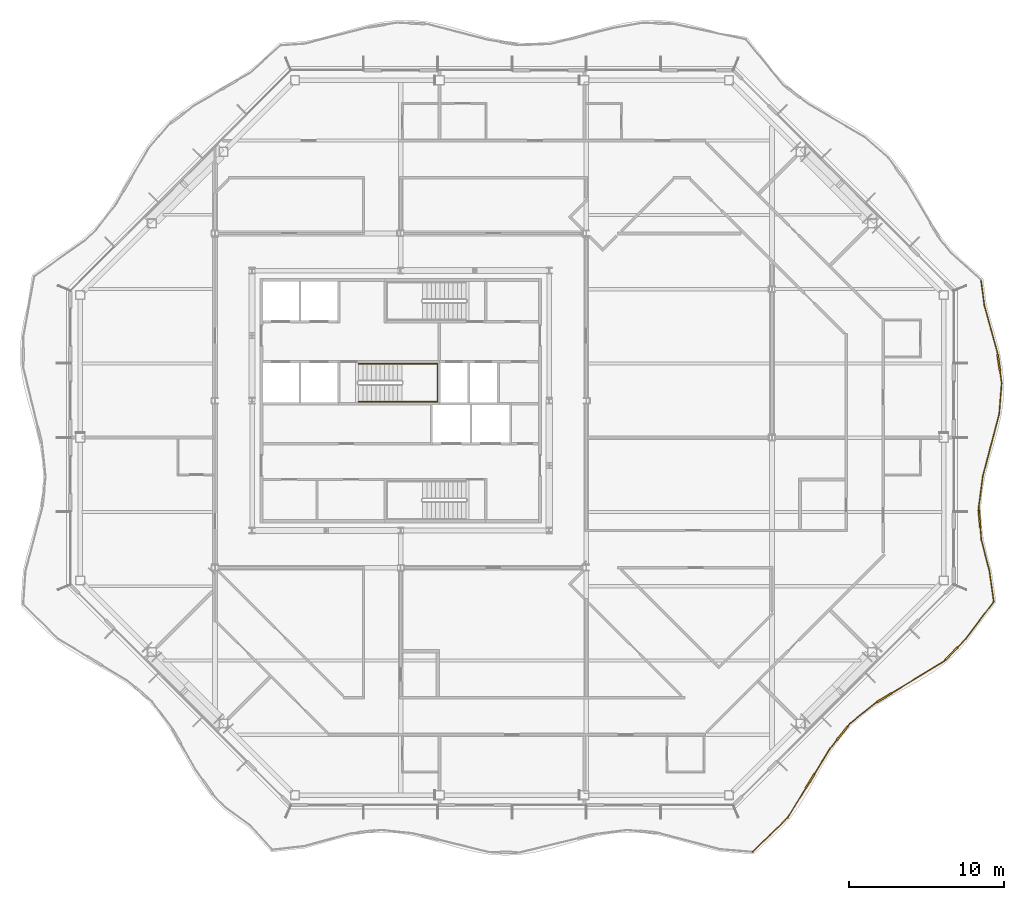
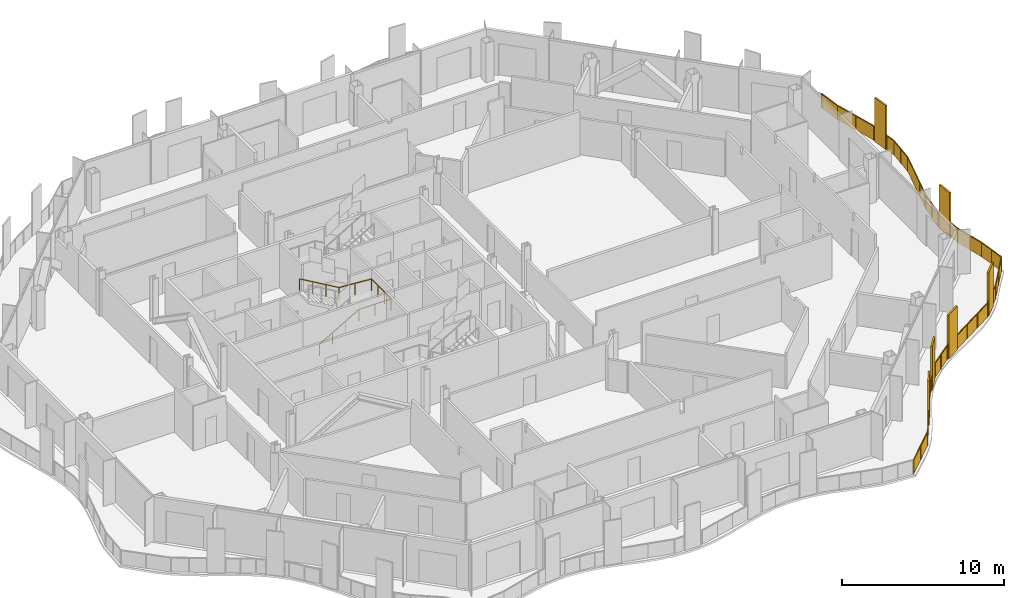
# One storey, part 17 of 19: 3 railings.
"""IFC4 building model written with IfcOpenShell, lengths in metres."""

from ifc_helpers import new_model, si_unit, direction, frame, origin, origin_2d, place, context, subcontext, project, spatial, polyline, rectangle, outline, extrude, material, type_object, element, save


model = new_model("IFC4")

# Units and contexts
model_context = context("Model", 3, precision=1e-05, world=origin(), true_north=direction((0.0, 1.0)))
body_context = subcontext(model_context, "Body", "Model", "MODEL_VIEW")
ifc_project = project(units=[si_unit("LENGTHUNIT", "METRE"), si_unit("AREAUNIT", "SQUARE_METRE"), si_unit("VOLUMEUNIT", "CUBIC_METRE"), si_unit("PLANEANGLEUNIT", "RADIAN"), si_unit("MASSUNIT", "GRAM", prefix="KILO")], contexts=[model_context])

# Site, building, storey
site_placement = place(None, origin())
site = spatial("IfcSite", under=ifc_project, at=site_placement, CompositionType="ELEMENT")
building_placement = place(site_placement, origin())
building = spatial("IfcBuilding", under=site, at=building_placement, Name="Cairn Pilgrim Tower", CompositionType="ELEMENT")
storey_placement = place(building_placement, frame((0.0, 0.0, 201.0)))
storey = spatial("IfcBuildingStorey", under=building, at=storey_placement, Name="L51", CompositionType="ELEMENT", Elevation=201.0)

# Railings
ifc_material_1 = material(Name="Bronze anodised aluminium rail, posts and fin screens with laminated glass infill", Category="aluminium")
railing_type_1 = type_object("IfcRailingType", Name="BALCONY GUARD WITH FIN SCREENS", PredefinedType="GUARDRAIL", material=ifc_material_1)
railing_1_placement = place(storey_placement, frame((29.952880859375, -26.76318359375, 0.0)))
element("IfcRailing", 1, at=railing_1_placement, inside=storey, type_object=railing_type_1, Name="Balcony guard BGF-2 with fin screens", PredefinedType="GUARDRAIL", context=body_context, shape_type="SweptSolid", body=[
    extrude(rectangle(XDim=0.050048828125, YDim=0.050048828125, at=origin_2d()), frame((0.0, 0.0, 1.0751953125), z_axis=(0.716130519256, 0.697966388439, 0.0), x_axis=(-0.697966388439, 0.716130519256, 0.0)), (0.0, 0.0, 1.0), 3.15869140625),
    extrude(rectangle(XDim=1.10009765625, YDim=0.110107421875, at=origin_2d()), frame((3.70947265625, 4.569091796875, 0.0), z_axis=(0.0, 0.0, 1.0), x_axis=(0.52208660069, 0.852892479378, 0.0)), (0.0, 0.0, 1.0), 3.300048828125),
    extrude(rectangle(XDim=0.050048828125, YDim=0.050048828125, at=origin_2d()), frame((2.261962890625, 2.20458984375, 1.0751953125), z_axis=(0.52208660069, 0.852892479378, 0.0), x_axis=(-0.852892479378, 0.52208660069, 0.0)), (0.0, 0.0, 1.0), 2.222412109375),
    extrude(rectangle(XDim=0.050048828125, YDim=0.050048828125, at=origin_2d()), frame((3.99658203125, 5.038330078125, 1.0751953125), z_axis=(0.52208660069, 0.852892479378, 0.0), x_axis=(-0.852892479378, 0.52208660069, 0.0)), (0.0, 0.0, 1.0), 1.904296875),
    extrude(rectangle(XDim=1.10009765625, YDim=0.110107421875, at=origin_2d()), frame((5.779052734375, 7.65625, 0.0), z_axis=(0.0, 0.0, 1.0), x_axis=(0.621419604969, 0.783477934955, 0.0)), (0.0, 0.0, 1.0), 3.300048828125),
    extrude(rectangle(XDim=0.050048828125, YDim=0.050048828125, at=origin_2d()), frame((4.99072265625, 6.662353515625, 1.0751953125), z_axis=(0.621419604969, 0.783477934955, 0.0), x_axis=(-0.783477934955, 0.621419604969, 0.0)), (0.0, 0.0, 1.0), 0.71875),
    extrude(rectangle(XDim=0.050048828125, YDim=0.050048828125, at=origin_2d()), frame((6.120849609375, 8.087158203125, 1.0751953125), z_axis=(0.621419604969, 0.783477934955, 0.0), x_axis=(-0.783477934955, 0.621419604969, 0.0)), (0.0, 0.0, 1.0), 0.25732421875),
    extrude(rectangle(XDim=0.050048828125, YDim=0.050048828125, at=origin_2d()), frame((6.28076171875, 8.288818359375, 1.0751953125), z_axis=(0.778867272827, 0.627188784434, 0.0), x_axis=(-0.627188784434, 0.778867272827, 0.0)), (0.0, 0.0, 1.0), 2.07470703125),
    extrude(rectangle(XDim=1.10009765625, YDim=0.110107421875, at=origin_2d()), frame((8.494140625, 9.95458984375, 0.0), z_axis=(0.0, 0.0, 1.0), x_axis=(0.853679739553, 0.520798331677, 0.0)), (0.0, 0.0, 1.0), 3.300048828125),
    extrude(rectangle(XDim=0.050048828125, YDim=0.050048828125, at=origin_2d()), frame((7.896728515625, 9.590087890625, 1.0751953125), z_axis=(0.853679739553, 0.520798331677, 0.0), x_axis=(-0.520798331677, 0.853679739553, 0.0)), (0.0, 0.0, 1.0), 0.14990234375),
    extrude(rectangle(XDim=0.050048828125, YDim=0.050048828125, at=origin_2d()), frame((8.9638671875, 10.240966796875, 1.0751953125), z_axis=(0.853679739553, 0.520798331677, 0.0), x_axis=(-0.520798331677, 0.853679739553, 0.0)), (0.0, 0.0, 1.0), 3.979248046875),
    extrude(rectangle(XDim=1.10009765625, YDim=0.110107421875, at=origin_2d()), frame((12.849609375, 12.814453125, 0.0), z_axis=(0.0, 0.0, 1.0), x_axis=(0.698299545032, 0.71580566176, 0.0)), (0.0, 0.0, 1.0), 3.300048828125),
    extrude(rectangle(XDim=0.050048828125, YDim=0.050048828125, at=origin_2d()), frame((12.36083984375, 12.3134765625, 1.0751953125), z_axis=(0.698299545032, 0.71580566176, 0.0), x_axis=(-0.71580566176, 0.698299545032, 0.0)), (0.0, 0.0, 1.0), 0.14990234375),
    extrude(rectangle(XDim=0.050048828125, YDim=0.050048828125, at=origin_2d()), frame((13.233642578125, 13.208251953125, 1.0751953125), z_axis=(0.698299545032, 0.71580566176, 0.0), x_axis=(-0.71580566176, 0.698299545032, 0.0)), (0.0, 0.0, 1.0), 0.75830078125),
    extrude(rectangle(XDim=0.050048828125, YDim=0.050048828125, at=origin_2d()), frame((13.76318359375, 13.7509765625, 1.0751953125), z_axis=(0.600605369971, 0.799545614435, 0.0), x_axis=(-0.799545614435, 0.600605369971, 0.0)), (0.0, 0.0, 1.0), 2.96728515625),
    extrude(rectangle(XDim=0.050048828125, YDim=0.050048828125, at=origin_2d()), origin(), (0.0, 0.0, 1.0), 1.050048828125),
    extrude(rectangle(XDim=0.050048828125, YDim=0.050048828125, at=origin_2d()), frame((1.130859375, 1.102294921875, 0.0)), (0.0, 0.0, 1.0), 1.050048828125),
    extrude(rectangle(XDim=0.050048828125, YDim=0.050048828125, at=origin_2d()), frame((2.261962890625, 2.20458984375, 0.0)), (0.0, 0.0, 1.0), 1.050048828125),
    extrude(rectangle(XDim=0.050048828125, YDim=0.050048828125, at=origin_2d()), frame((2.835693359375, 3.1416015625, 0.0)), (0.0, 0.0, 1.0), 1.050048828125),
    extrude(rectangle(XDim=0.050048828125, YDim=0.050048828125, at=origin_2d()), frame((3.4091796875, 4.07861328125, 0.0)), (0.0, 0.0, 1.0), 1.050048828125),
    extrude(rectangle(XDim=0.050048828125, YDim=0.050048828125, at=origin_2d()), frame((4.009521484375, 5.0595703125, 0.0)), (0.0, 0.0, 1.0), 1.050048828125),
    extrude(rectangle(XDim=0.050048828125, YDim=0.050048828125, at=origin_2d()), frame((4.500244140625, 5.861083984375, 0.0)), (0.0, 0.0, 1.0), 1.050048828125),
    extrude(rectangle(XDim=0.050048828125, YDim=0.050048828125, at=origin_2d()), frame((4.99072265625, 6.662353515625, 0.0)), (0.0, 0.0, 1.0), 1.050048828125),
    extrude(rectangle(XDim=0.050048828125, YDim=0.050048828125, at=origin_2d()), frame((5.421875, 7.205810546875, 0.0)), (0.0, 0.0, 1.0), 1.050048828125),
    extrude(rectangle(XDim=0.050048828125, YDim=0.050048828125, at=origin_2d()), frame((6.136474609375, 8.10693359375, 0.0)), (0.0, 0.0, 1.0), 1.050048828125),
    extrude(rectangle(XDim=0.050048828125, YDim=0.050048828125, at=origin_2d()), frame((6.28076171875, 8.288818359375, 0.0)), (0.0, 0.0, 1.0), 1.050048828125),
    extrude(rectangle(XDim=0.050048828125, YDim=0.050048828125, at=origin_2d()), frame((7.0888671875, 8.939453125, 0.0)), (0.0, 0.0, 1.0), 1.050048828125),
    extrude(rectangle(XDim=0.050048828125, YDim=0.050048828125, at=origin_2d()), frame((7.896728515625, 9.590087890625, 0.0)), (0.0, 0.0, 1.0), 1.050048828125),
    extrude(rectangle(XDim=0.050048828125, YDim=0.050048828125, at=origin_2d()), frame((8.00341796875, 9.655029296875, 0.0)), (0.0, 0.0, 1.0), 1.050048828125),
    extrude(rectangle(XDim=0.050048828125, YDim=0.050048828125, at=origin_2d()), frame((8.985107421875, 10.254150390625, 0.0)), (0.0, 0.0, 1.0), 1.050048828125),
    extrude(rectangle(XDim=0.050048828125, YDim=0.050048828125, at=origin_2d()), frame((10.1103515625, 10.940673828125, 0.0)), (0.0, 0.0, 1.0), 1.050048828125),
    extrude(rectangle(XDim=0.050048828125, YDim=0.050048828125, at=origin_2d()), frame((11.235595703125, 11.626953125, 0.0)), (0.0, 0.0, 1.0), 1.050048828125),
    extrude(rectangle(XDim=0.050048828125, YDim=0.050048828125, at=origin_2d()), frame((12.36083984375, 12.3134765625, 0.0)), (0.0, 0.0, 1.0), 1.050048828125),
    extrude(rectangle(XDim=0.050048828125, YDim=0.050048828125, at=origin_2d()), frame((12.447998046875, 12.40283203125, 0.0)), (0.0, 0.0, 1.0), 1.050048828125),
    extrude(rectangle(XDim=0.050048828125, YDim=0.050048828125, at=origin_2d()), frame((13.251220703125, 13.22607421875, 0.0)), (0.0, 0.0, 1.0), 1.050048828125),
    extrude(rectangle(XDim=0.050048828125, YDim=0.050048828125, at=origin_2d()), frame((13.76318359375, 13.7509765625, 0.0)), (0.0, 0.0, 1.0), 1.050048828125),
    extrude(rectangle(XDim=0.050048828125, YDim=0.050048828125, at=origin_2d()), frame((14.654296875, 14.937255859375, 0.0)), (0.0, 0.0, 1.0), 1.050048828125),
    extrude(rectangle(XDim=0.050048828125, YDim=0.050048828125, at=origin_2d()), frame((15.54541015625, 16.12353515625, 0.0)), (0.0, 0.0, 1.0), 1.050048828125),
    extrude(outline(polyline([(0.02490234375, 0.0), (1.55419921875, 0.0), (1.55419921875, 1.050048828125), (0.02490234375, 1.050048828125), (0.02490234375, 0.0)])), frame((-0.004150390625, 0.00439453125, 0.0), z_axis=(0.697966388439, -0.716130519256, 0.0), x_axis=(0.716130519256, 0.697966388439, 0.0)), (0.0, 0.0, 1.0), 0.011962890625),
    extrude(outline(polyline([(0.02490234375, 0.0), (1.55419921875, 0.0), (1.55419921875, 1.050048828125), (0.02490234375, 1.050048828125), (0.02490234375, 0.0)])), frame((1.126708984375, 1.106689453125, 0.0), z_axis=(0.697966388439, -0.716130519256, 0.0), x_axis=(0.716130519256, 0.697966388439, 0.0)), (0.0, 0.0, 1.0), 0.011962890625),
    extrude(outline(polyline([(0.02490234375, 0.0), (1.07373046875, 0.0), (1.07373046875, 1.050048828125), (0.02490234375, 1.050048828125), (0.02490234375, 0.0)])), frame((2.2568359375, 2.207763671875, 0.0), z_axis=(0.852892479378, -0.52208660069, 0.0), x_axis=(0.52208660069, 0.852892479378, 0.0)), (0.0, 0.0, 1.0), 0.011962890625),
    extrude(outline(polyline([(0.02490234375, 0.0), (1.07373046875, 0.0), (1.07373046875, 1.050048828125), (0.02490234375, 1.050048828125), (0.02490234375, 0.0)])), frame((2.83056640625, 3.144775390625, 0.0), z_axis=(0.852892479378, -0.52208660069, 0.0), x_axis=(0.52208660069, 0.852892479378, 0.0)), (0.0, 0.0, 1.0), 0.011962890625),
    extrude(outline(polyline([(0.02490234375, 0.0), (0.91455078125, 0.0), (0.91455078125, 1.050048828125), (0.02490234375, 1.050048828125), (0.02490234375, 0.0)])), frame((4.00439453125, 5.062744140625, 0.0), z_axis=(0.852892479378, -0.52208660069, 0.0), x_axis=(0.52208660069, 0.852892479378, 0.0)), (0.0, 0.0, 1.0), 0.011962890625),
    extrude(outline(polyline([(0.02490234375, 0.0), (0.91455078125, 0.0), (0.91455078125, 1.050048828125), (0.02490234375, 1.050048828125), (0.02490234375, 0.0)])), frame((4.4951171875, 5.864013671875, 0.0), z_axis=(0.852892479378, -0.52208660069, 0.0), x_axis=(0.52208660069, 0.852892479378, 0.0)), (0.0, 0.0, 1.0), 0.011962890625),
    extrude(outline(polyline([(0.02490234375, 0.0), (0.668701171875, 0.0), (0.668701171875, 1.050048828125), (0.02490234375, 1.050048828125), (0.02490234375, 0.0)])), frame((4.986083984375, 6.666015625, 0.0), z_axis=(0.783477934955, -0.621419604969, 0.0), x_axis=(0.621419604969, 0.783477934955, 0.0)), (0.0, 0.0, 1.0), 0.011962890625),
    extrude(outline(polyline([(0.02490234375, 0.0), (0.207275390625, 0.0), (0.207275390625, 1.050048828125), (0.02490234375, 1.050048828125), (0.02490234375, 0.0)])), frame((6.1318359375, 8.110595703125, 0.0), z_axis=(0.783477934955, -0.621419604969, 0.0), x_axis=(0.621419604969, 0.783477934955, 0.0)), (0.0, 0.0, 1.0), 0.011962890625),
    extrude(outline(polyline([(0.02490234375, 0.0), (1.012451171875, 0.0), (1.012451171875, 1.050048828125), (0.02490234375, 1.050048828125), (0.02490234375, 0.0)])), frame((6.277099609375, 8.29345703125, 0.0), z_axis=(0.627188784434, -0.778867272827, 0.0), x_axis=(0.778867272827, 0.627188784434, 0.0)), (0.0, 0.0, 1.0), 0.011962890625),
    extrude(outline(polyline([(0.02490234375, 0.0), (1.012451171875, 0.0), (1.012451171875, 1.050048828125), (0.02490234375, 1.050048828125), (0.02490234375, 0.0)])), frame((7.0849609375, 8.944091796875, 0.0), z_axis=(0.627188784434, -0.778867272827, 0.0), x_axis=(0.778867272827, 0.627188784434, 0.0)), (0.0, 0.0, 1.0), 0.011962890625),
    extrude(outline(polyline([(0.02490234375, 0.0), (0.099853515625, 0.0), (0.099853515625, 1.050048828125), (0.02490234375, 1.050048828125), (0.02490234375, 0.0)])), frame((7.8935546875, 9.59521484375, 0.0), z_axis=(0.520798331677, -0.853679739553, 0.0), x_axis=(0.853679739553, 0.520798331677, 0.0)), (0.0, 0.0, 1.0), 0.011962890625),
    extrude(outline(polyline([(0.02490234375, 0.0), (1.29296875, 0.0), (1.29296875, 1.050048828125), (0.02490234375, 1.050048828125), (0.02490234375, 0.0)])), frame((8.98193359375, 10.25927734375, 0.0), z_axis=(0.520798331677, -0.853679739553, 0.0), x_axis=(0.853679739553, 0.520798331677, 0.0)), (0.0, 0.0, 1.0), 0.011962890625),
    extrude(outline(polyline([(0.02490234375, 0.0), (1.29296875, 0.0), (1.29296875, 1.050048828125), (0.02490234375, 1.050048828125), (0.02490234375, 0.0)])), frame((10.107177734375, 10.945556640625, 0.0), z_axis=(0.520798331677, -0.853679739553, 0.0), x_axis=(0.853679739553, 0.520798331677, 0.0)), (0.0, 0.0, 1.0), 0.011962890625),
    extrude(outline(polyline([(0.02490234375, 0.0), (1.29296875, 0.0), (1.29296875, 1.050048828125), (0.02490234375, 1.050048828125), (0.02490234375, 0.0)])), frame((11.232421875, 11.632080078125, 0.0), z_axis=(0.520798331677, -0.853679739553, 0.0), x_axis=(0.853679739553, 0.520798331677, 0.0)), (0.0, 0.0, 1.0), 0.011962890625),
    extrude(outline(polyline([(0.02490234375, 0.0), (0.099853515625, 0.0), (0.099853515625, 1.050048828125), (0.02490234375, 1.050048828125), (0.02490234375, 0.0)])), frame((12.3564453125, 12.317626953125, 0.0), z_axis=(0.71580566176, -0.698299545032, 0.0), x_axis=(0.698299545032, 0.71580566176, 0.0)), (0.0, 0.0, 1.0), 0.011962890625),
    extrude(outline(polyline([(0.02490234375, 0.0), (0.708251953125, 0.0), (0.708251953125, 1.050048828125), (0.02490234375, 1.050048828125), (0.02490234375, 0.0)])), frame((13.246826171875, 13.230224609375, 0.0), z_axis=(0.71580566176, -0.698299545032, 0.0), x_axis=(0.698299545032, 0.71580566176, 0.0)), (0.0, 0.0, 1.0), 0.011962890625),
    extrude(outline(polyline([(0.02490234375, 0.0), (1.458740234375, 0.0), (1.458740234375, 1.050048828125), (0.02490234375, 1.050048828125), (0.02490234375, 0.0)])), frame((13.75830078125, 13.754638671875, 0.0), z_axis=(0.799545614435, -0.600605369971, 0.0), x_axis=(0.600605369971, 0.799545614435, 0.0)), (0.0, 0.0, 1.0), 0.011962890625),
    extrude(outline(polyline([(0.02490234375, 0.0), (1.458740234375, 0.0), (1.458740234375, 1.050048828125), (0.02490234375, 1.050048828125), (0.02490234375, 0.0)])), frame((14.6494140625, 14.94091796875, 0.0), z_axis=(0.799545614435, -0.600605369971, 0.0), x_axis=(0.600605369971, 0.799545614435, 0.0)), (0.0, 0.0, 1.0), 0.011962890625),
])
railing_2_placement = place(storey_placement, frame((45.534423828125, -10.591796875, 0.0)))
element("IfcRailing", 2, at=railing_2_placement, inside=storey, type_object=railing_type_1, Name="Balcony guard BGF-3 with fin screens", PredefinedType="GUARDRAIL", context=body_context, shape_type="SweptSolid", body=[
    extrude(rectangle(XDim=0.050048828125, YDim=0.050048828125, at=origin_2d()), frame((0.0, 0.0, 1.0751953125), z_axis=(-0.142090127494, 0.98985372438, 0.0), x_axis=(-0.98985372438, -0.142090127494, 0.0)), (0.0, 0.0, 1.0), 1.9931640625),
    extrude(rectangle(XDim=0.050048828125, YDim=0.050048828125, at=origin_2d()), frame((-0.283203125, 1.972900390625, 1.0751953125), z_axis=(-0.248274202048, 0.968689795857, 0.0), x_axis=(-0.968689795857, -0.248274202048, 0.0)), (0.0, 0.0, 1.0), 2.090576171875),
    extrude(rectangle(XDim=1.10009765625, YDim=0.110107421875, at=origin_2d()), frame((-0.92138671875, 5.350341796875, 0.0), z_axis=(0.0, 0.0, 1.0), x_axis=(-0.087679125849, 0.996148769457, 0.0)), (0.0, 0.0, 1.0), 3.300048828125),
    extrude(rectangle(XDim=0.050048828125, YDim=0.050048828125, at=origin_2d()), frame((-0.80224609375, 3.998046875, 1.0751953125), z_axis=(-0.087679125849, 0.996148769457, 0.0), x_axis=(-0.996148769457, -0.087679125849, 0.0)), (0.0, 0.0, 1.0), 0.8076171875),
    extrude(rectangle(XDim=0.050048828125, YDim=0.050048828125, at=origin_2d()), frame((-0.969482421875, 5.898193359375, 1.0751953125), z_axis=(-0.087679125849, 0.996148769457, 0.0), x_axis=(-0.996148769457, -0.087679125849, 0.0)), (0.0, 0.0, 1.0), 0.150146484375),
    extrude(rectangle(XDim=0.050048828125, YDim=0.050048828125, at=origin_2d()), frame((-0.982666015625, 6.0478515625, 1.0751953125), z_axis=(0.131962338015, 0.991254730806, 0.0), x_axis=(-0.991254730806, 0.131962338015, 0.0)), (0.0, 0.0, 1.0), 2.064697265625),
    extrude(rectangle(XDim=0.050048828125, YDim=0.050048828125, at=origin_2d()), frame((-0.710205078125, 8.094482421875, 1.0751953125), z_axis=(0.254499054917, 0.967073022603, 0.0), x_axis=(-0.967073022603, 0.254499054917, 0.0)), (0.0, 0.0, 1.0), 4.17578125),
    extrude(rectangle(XDim=0.050048828125, YDim=0.050048828125, at=origin_2d()), frame((0.3525390625, 12.1328125, 1.0751953125), z_axis=(0.078593798802, 0.996906723214, 0.0), x_axis=(-0.996906723214, 0.078593798802, 0.0)), (0.0, 0.0, 1.0), 1.997314453125),
    extrude(rectangle(XDim=1.10009765625, YDim=0.110107421875, at=origin_2d()), frame((0.325439453125, 15.426025390625, 0.0), z_axis=(0.0, 0.0, 1.0), x_axis=(-0.139945411118, 0.990159220483, 0.0)), (0.0, 0.0, 1.0), 3.300048828125),
    extrude(rectangle(XDim=0.050048828125, YDim=0.050048828125, at=origin_2d()), frame((0.509521484375, 14.1240234375, 1.0751953125), z_axis=(-0.139945411118, 0.990159220483, 0.0), x_axis=(-0.990159220483, -0.139945411118, 0.0)), (0.0, 0.0, 1.0), 0.764892578125),
    extrude(rectangle(XDim=0.050048828125, YDim=0.050048828125, at=origin_2d()), frame((0.24853515625, 15.970458984375, 1.0751953125), z_axis=(-0.139945411118, 0.990159220483, 0.0), x_axis=(-0.990159220483, -0.139945411118, 0.0)), (0.0, 0.0, 1.0), 0.150146484375),
    extrude(rectangle(XDim=0.050048828125, YDim=0.050048828125, at=origin_2d()), frame((0.2275390625, 16.119140625, 1.0751953125), z_axis=(-0.266851364055, 0.963737697458, 0.0), x_axis=(-0.963737697458, -0.266851364055, 0.0)), (0.0, 0.0, 1.0), 3.146240234375),
    extrude(rectangle(XDim=0.050048828125, YDim=0.050048828125, at=origin_2d()), frame((-0.612060546875, 19.1513671875, 1.0751953125), z_axis=(-0.128981119614, 0.991647049501, 0.0), x_axis=(-0.991647049501, -0.128981119614, 0.0)), (0.0, 0.0, 1.0), 1.603271484375),
    extrude(rectangle(XDim=0.050048828125, YDim=0.050048828125, at=origin_2d()), origin(), (0.0, 0.0, 1.0), 1.050048828125),
    extrude(rectangle(XDim=0.050048828125, YDim=0.050048828125, at=origin_2d()), frame((-0.1416015625, 0.986328125, 0.0)), (0.0, 0.0, 1.0), 1.050048828125),
    extrude(rectangle(XDim=0.050048828125, YDim=0.050048828125, at=origin_2d()), frame((-0.283203125, 1.972900390625, 0.0)), (0.0, 0.0, 1.0), 1.050048828125),
    extrude(rectangle(XDim=0.050048828125, YDim=0.050048828125, at=origin_2d()), frame((-0.542724609375, 2.9853515625, 0.0)), (0.0, 0.0, 1.0), 1.050048828125),
    extrude(rectangle(XDim=0.050048828125, YDim=0.050048828125, at=origin_2d()), frame((-0.80224609375, 3.998046875, 0.0)), (0.0, 0.0, 1.0), 1.050048828125),
    extrude(rectangle(XDim=0.050048828125, YDim=0.050048828125, at=origin_2d()), frame((-0.870849609375, 4.777587890625, 0.0)), (0.0, 0.0, 1.0), 1.050048828125),
    extrude(rectangle(XDim=0.050048828125, YDim=0.050048828125, at=origin_2d()), frame((-0.9716796875, 5.923095703125, 0.0)), (0.0, 0.0, 1.0), 1.050048828125),
    extrude(rectangle(XDim=0.050048828125, YDim=0.050048828125, at=origin_2d()), frame((-0.982666015625, 6.0478515625, 0.0)), (0.0, 0.0, 1.0), 1.050048828125),
    extrude(rectangle(XDim=0.050048828125, YDim=0.050048828125, at=origin_2d()), frame((-0.846435546875, 7.0712890625, 0.0)), (0.0, 0.0, 1.0), 1.050048828125),
    extrude(rectangle(XDim=0.050048828125, YDim=0.050048828125, at=origin_2d()), frame((-0.710205078125, 8.094482421875, 0.0)), (0.0, 0.0, 1.0), 1.050048828125),
    extrude(rectangle(XDim=0.050048828125, YDim=0.050048828125, at=origin_2d()), frame((-0.35595703125, 9.440673828125, 0.0)), (0.0, 0.0, 1.0), 1.050048828125),
    extrude(rectangle(XDim=0.050048828125, YDim=0.050048828125, at=origin_2d()), frame((-0.001708984375, 10.78662109375, 0.0)), (0.0, 0.0, 1.0), 1.050048828125),
    extrude(rectangle(XDim=0.050048828125, YDim=0.050048828125, at=origin_2d()), frame((0.3525390625, 12.1328125, 0.0)), (0.0, 0.0, 1.0), 1.050048828125),
    extrude(rectangle(XDim=0.050048828125, YDim=0.050048828125, at=origin_2d()), frame((0.43115234375, 13.12841796875, 0.0)), (0.0, 0.0, 1.0), 1.050048828125),
    extrude(rectangle(XDim=0.050048828125, YDim=0.050048828125, at=origin_2d()), frame((0.509521484375, 14.1240234375, 0.0)), (0.0, 0.0, 1.0), 1.050048828125),
    extrude(rectangle(XDim=0.050048828125, YDim=0.050048828125, at=origin_2d()), frame((0.406005859375, 14.8564453125, 0.0)), (0.0, 0.0, 1.0), 1.050048828125),
    extrude(rectangle(XDim=0.050048828125, YDim=0.050048828125, at=origin_2d()), frame((0.2451171875, 15.995361328125, 0.0)), (0.0, 0.0, 1.0), 1.050048828125),
    extrude(rectangle(XDim=0.050048828125, YDim=0.050048828125, at=origin_2d()), frame((0.2275390625, 16.119140625, 0.0)), (0.0, 0.0, 1.0), 1.050048828125),
    extrude(rectangle(XDim=0.050048828125, YDim=0.050048828125, at=origin_2d()), frame((-0.192138671875, 17.63525390625, 0.0)), (0.0, 0.0, 1.0), 1.050048828125),
    extrude(rectangle(XDim=0.050048828125, YDim=0.050048828125, at=origin_2d()), frame((-0.612060546875, 19.1513671875, 0.0)), (0.0, 0.0, 1.0), 1.050048828125),
    extrude(rectangle(XDim=0.050048828125, YDim=0.050048828125, at=origin_2d()), frame((-0.81884765625, 20.7412109375, 0.0)), (0.0, 0.0, 1.0), 1.050048828125),
    extrude(outline(polyline([(0.02490234375, 0.0), (0.971435546875, 0.0), (0.971435546875, 1.050048828125), (0.02490234375, 1.050048828125), (0.02490234375, 0.0)])), frame((-0.005859375, -0.000732421875, 0.0), z_axis=(0.98985372438, 0.142090127494, 0.0), x_axis=(-0.142090127494, 0.98985372438, 0.0)), (0.0, 0.0, 1.0), 0.011962890625),
    extrude(outline(polyline([(0.02490234375, 0.0), (0.971435546875, 0.0), (0.971435546875, 1.050048828125), (0.02490234375, 1.050048828125), (0.02490234375, 0.0)])), frame((-0.1474609375, 0.985595703125, 0.0), z_axis=(0.98985372438, 0.142090127494, 0.0), x_axis=(-0.142090127494, 0.98985372438, 0.0)), (0.0, 0.0, 1.0), 0.011962890625),
    extrude(outline(polyline([(0.02490234375, 0.0), (1.020263671875, 0.0), (1.020263671875, 1.050048828125), (0.02490234375, 1.050048828125), (0.02490234375, 0.0)])), frame((-0.2890625, 1.971435546875, 0.0), z_axis=(0.968689795857, 0.248274202048, 0.0), x_axis=(-0.248274202048, 0.968689795857, 0.0)), (0.0, 0.0, 1.0), 0.011962890625),
    extrude(outline(polyline([(0.02490234375, 0.0), (1.020263671875, 0.0), (1.020263671875, 1.050048828125), (0.02490234375, 1.050048828125), (0.02490234375, 0.0)])), frame((-0.548583984375, 2.98388671875, 0.0), z_axis=(0.968689795857, 0.248274202048, 0.0), x_axis=(-0.248274202048, 0.968689795857, 0.0)), (0.0, 0.0, 1.0), 0.011962890625),
    extrude(outline(polyline([(0.02490234375, 0.0), (0.757568359375, 0.0), (0.757568359375, 1.050048828125), (0.02490234375, 1.050048828125), (0.02490234375, 0.0)])), frame((-0.80810546875, 3.99755859375, 0.0), z_axis=(0.996148769457, 0.087679125849, 0.0), x_axis=(-0.087679125849, 0.996148769457, 0.0)), (0.0, 0.0, 1.0), 0.011962890625),
    extrude(outline(polyline([(0.02490234375, 0.0), (0.10009765625, 0.0), (0.10009765625, 1.050048828125), (0.02490234375, 1.050048828125), (0.02490234375, 0.0)])), frame((-0.9775390625, 5.922607421875, 0.0), z_axis=(0.996148769457, 0.087679125849, 0.0), x_axis=(-0.087679125849, 0.996148769457, 0.0)), (0.0, 0.0, 1.0), 0.011962890625),
    extrude(outline(polyline([(0.02490234375, 0.0), (1.00732421875, 0.0), (1.00732421875, 1.050048828125), (0.02490234375, 1.050048828125), (0.02490234375, 0.0)])), frame((-0.988525390625, 6.048583984375, 0.0), z_axis=(0.991254730806, -0.131962338015, 0.0), x_axis=(0.131962338015, 0.991254730806, 0.0)), (0.0, 0.0, 1.0), 0.011962890625),
    extrude(outline(polyline([(0.02490234375, 0.0), (1.00732421875, 0.0), (1.00732421875, 1.050048828125), (0.02490234375, 1.050048828125), (0.02490234375, 0.0)])), frame((-0.852294921875, 7.072021484375, 0.0), z_axis=(0.991254730806, -0.131962338015, 0.0), x_axis=(0.131962338015, 0.991254730806, 0.0)), (0.0, 0.0, 1.0), 0.011962890625),
    extrude(outline(polyline([(0.02490234375, 0.0), (1.366943359375, 0.0), (1.366943359375, 1.050048828125), (0.02490234375, 1.050048828125), (0.02490234375, 0.0)])), frame((-0.716064453125, 8.095947265625, 0.0), z_axis=(0.967073022603, -0.254499054917, 0.0), x_axis=(0.254499054917, 0.967073022603, 0.0)), (0.0, 0.0, 1.0), 0.011962890625),
    extrude(outline(polyline([(0.02490234375, 0.0), (1.366943359375, 0.0), (1.366943359375, 1.050048828125), (0.02490234375, 1.050048828125), (0.02490234375, 0.0)])), frame((-0.36181640625, 9.442138671875, 0.0), z_axis=(0.967073022603, -0.254499054917, 0.0), x_axis=(0.254499054917, 0.967073022603, 0.0)), (0.0, 0.0, 1.0), 0.011962890625),
    extrude(outline(polyline([(0.02490234375, 0.0), (1.366943359375, 0.0), (1.366943359375, 1.050048828125), (0.02490234375, 1.050048828125), (0.02490234375, 0.0)])), frame((-0.007568359375, 10.788330078125, 0.0), z_axis=(0.967073022603, -0.254499054917, 0.0), x_axis=(0.254499054917, 0.967073022603, 0.0)), (0.0, 0.0, 1.0), 0.011962890625),
    extrude(outline(polyline([(0.02490234375, 0.0), (0.9736328125, 0.0), (0.9736328125, 1.050048828125), (0.02490234375, 1.050048828125), (0.02490234375, 0.0)])), frame((0.3466796875, 12.13330078125, 0.0), z_axis=(0.996906723214, -0.078593798802, 0.0), x_axis=(0.078593798802, 0.996906723214, 0.0)), (0.0, 0.0, 1.0), 0.011962890625),
    extrude(outline(polyline([(0.02490234375, 0.0), (0.9736328125, 0.0), (0.9736328125, 1.050048828125), (0.02490234375, 1.050048828125), (0.02490234375, 0.0)])), frame((0.425048828125, 13.12890625, 0.0), z_axis=(0.996906723214, -0.078593798802, 0.0), x_axis=(0.078593798802, 0.996906723214, 0.0)), (0.0, 0.0, 1.0), 0.011962890625),
    extrude(outline(polyline([(0.02490234375, 0.0), (0.71484375, 0.0), (0.71484375, 1.050048828125), (0.02490234375, 1.050048828125), (0.02490234375, 0.0)])), frame((0.503662109375, 14.123291015625, 0.0), z_axis=(0.990159220483, 0.139945411118, 0.0), x_axis=(-0.139945411118, 0.990159220483, 0.0)), (0.0, 0.0, 1.0), 0.011962890625),
    extrude(outline(polyline([(0.02490234375, 0.0), (0.10009765625, 0.0), (0.10009765625, 1.050048828125), (0.02490234375, 1.050048828125), (0.02490234375, 0.0)])), frame((0.239013671875, 15.994384765625, 0.0), z_axis=(0.990159220483, 0.139945411118, 0.0), x_axis=(-0.139945411118, 0.990159220483, 0.0)), (0.0, 0.0, 1.0), 0.011962890625),
    extrude(outline(polyline([(0.02490234375, 0.0), (1.548095703125, 0.0), (1.548095703125, 1.050048828125), (0.02490234375, 1.050048828125), (0.02490234375, 0.0)])), frame((0.2216796875, 16.117431640625, 0.0), z_axis=(0.963737697458, 0.266851364055, 0.0), x_axis=(-0.266851364055, 0.963737697458, 0.0)), (0.0, 0.0, 1.0), 0.011962890625),
    extrude(outline(polyline([(0.02490234375, 0.0), (1.548095703125, 0.0), (1.548095703125, 1.050048828125), (0.02490234375, 1.050048828125), (0.02490234375, 0.0)])), frame((-0.197998046875, 17.633544921875, 0.0), z_axis=(0.963737697458, 0.266851364055, 0.0), x_axis=(-0.266851364055, 0.963737697458, 0.0)), (0.0, 0.0, 1.0), 0.011962890625),
    extrude(outline(polyline([(0.02490234375, 0.0), (1.578125, 0.0), (1.578125, 1.050048828125), (0.02490234375, 1.050048828125), (0.02490234375, 0.0)])), frame((-0.617919921875, 19.150634765625, 0.0), z_axis=(0.991647049501, 0.128981119614, 0.0), x_axis=(-0.128981119614, 0.991647049501, 0.0)), (0.0, 0.0, 1.0), 0.011962890625),
])
ifc_material_2 = material(Name="Painted steel", Category="steel")
railing_type_2 = type_object("IfcRailingType", Name="STAIR HANDRAIL 900", PredefinedType="HANDRAIL", material=ifc_material_2)
railing_3_placement = place(storey_placement, frame((4.47509765625, 2.324951171875, 0.16357421875)))
element("IfcRailing", 3, at=railing_3_placement, inside=storey, type_object=railing_type_2, Name="L51 ST-B stair handrail 1", PredefinedType="HANDRAIL", context=body_context, shape_type="SweptSolid", body=[
    extrude(rectangle(XDim=0.048095703125, YDim=0.048095703125, at=origin_2d()), frame((0.0, 0.0, 0.8759765625), z_axis=(0.863341702679, 0.0, 0.504619762213), x_axis=(0.0, 1.0, 0.0)), (0.0, 0.0, 1.0), 3.242919921875),
    extrude(rectangle(XDim=0.048095703125, YDim=0.048095703125, at=origin_2d()), frame((2.7998046875, 0.0, 2.51220703125), z_axis=(1.0, 0.0, 0.0), x_axis=(0.0, 1.0, 0.0)), (0.0, 0.0, 1.0), 2.300048828125),
    extrude(rectangle(XDim=0.048095703125, YDim=0.048095703125, at=origin_2d()), frame((5.099853515625, 0.0, 2.51220703125), z_axis=(0.0, 1.0, 0.0), x_axis=(-1.0, 0.0, 0.0)), (0.0, 0.0, 1.0), 2.449951171875),
    extrude(rectangle(XDim=0.048095703125, YDim=0.048095703125, at=origin_2d()), frame((5.099853515625, 2.449951171875, 2.51220703125), z_axis=(-0.997480687736, 0.0, 0.070938548008), x_axis=(0.0, -1.0, 0.0)), (0.0, 0.0, 1.0), 2.305908203125),
    extrude(rectangle(XDim=0.048095703125, YDim=0.048095703125, at=origin_2d()), frame((2.7998046875, 2.449951171875, 2.67578125), z_axis=(-0.863341702679, 0.0, 0.504619762213), x_axis=(0.0, -1.0, 0.0)), (0.0, 0.0, 1.0), 3.242919921875),
    extrude(rectangle(XDim=0.0419921875, YDim=0.0419921875, at=origin_2d()), origin(), (0.0, 0.0, 1.0), 0.851806640625),
    extrude(rectangle(XDim=0.0419921875, YDim=0.0419921875, at=origin_2d()), frame((0.933349609375, 0.0, 0.54541015625)), (0.0, 0.0, 1.0), 0.851806640625),
    extrude(rectangle(XDim=0.0419921875, YDim=0.0419921875, at=origin_2d()), frame((1.866455078125, 0.0, 1.091064453125)), (0.0, 0.0, 1.0), 0.851806640625),
    extrude(rectangle(XDim=0.0419921875, YDim=0.0419921875, at=origin_2d()), frame((2.7998046875, 0.0, 1.636474609375)), (0.0, 0.0, 1.0), 0.851806640625),
    extrude(rectangle(XDim=0.0419921875, YDim=0.0419921875, at=origin_2d()), frame((3.94970703125, 0.0, 1.636474609375)), (0.0, 0.0, 1.0), 0.851806640625),
    extrude(rectangle(XDim=0.0419921875, YDim=0.0419921875, at=origin_2d()), frame((5.099853515625, 0.0, 1.636474609375)), (0.0, 0.0, 1.0), 0.851806640625),
    extrude(rectangle(XDim=0.0419921875, YDim=0.0419921875, at=origin_2d()), frame((5.099853515625, 0.816650390625, 1.636474609375)), (0.0, 0.0, 1.0), 0.851806640625),
    extrude(rectangle(XDim=0.0419921875, YDim=0.0419921875, at=origin_2d()), frame((5.099853515625, 1.63330078125, 1.636474609375)), (0.0, 0.0, 1.0), 0.851806640625),
    extrude(rectangle(XDim=0.0419921875, YDim=0.0419921875, at=origin_2d()), frame((5.099853515625, 2.449951171875, 1.636474609375)), (0.0, 0.0, 1.0), 0.851806640625),
    extrude(rectangle(XDim=0.0419921875, YDim=0.0419921875, at=origin_2d()), frame((3.94970703125, 2.449951171875, 1.71826171875)), (0.0, 0.0, 1.0), 0.851806640625),
    extrude(rectangle(XDim=0.0419921875, YDim=0.0419921875, at=origin_2d()), frame((2.7998046875, 2.449951171875, 1.800048828125)), (0.0, 0.0, 1.0), 0.851806640625),
    extrude(rectangle(XDim=0.0419921875, YDim=0.0419921875, at=origin_2d()), frame((1.866455078125, 2.449951171875, 2.345458984375)), (0.0, 0.0, 1.0), 0.851806640625),
    extrude(rectangle(XDim=0.0419921875, YDim=0.0419921875, at=origin_2d()), frame((0.933349609375, 2.449951171875, 2.89111328125)), (0.0, 0.0, 1.0), 0.851806640625),
    extrude(rectangle(XDim=0.0419921875, YDim=0.0419921875, at=origin_2d()), frame((0.0, 2.449951171875, 3.4365234375)), (0.0, 0.0, 1.0), 0.851806640625),
])

save(model, "model.ifc")
